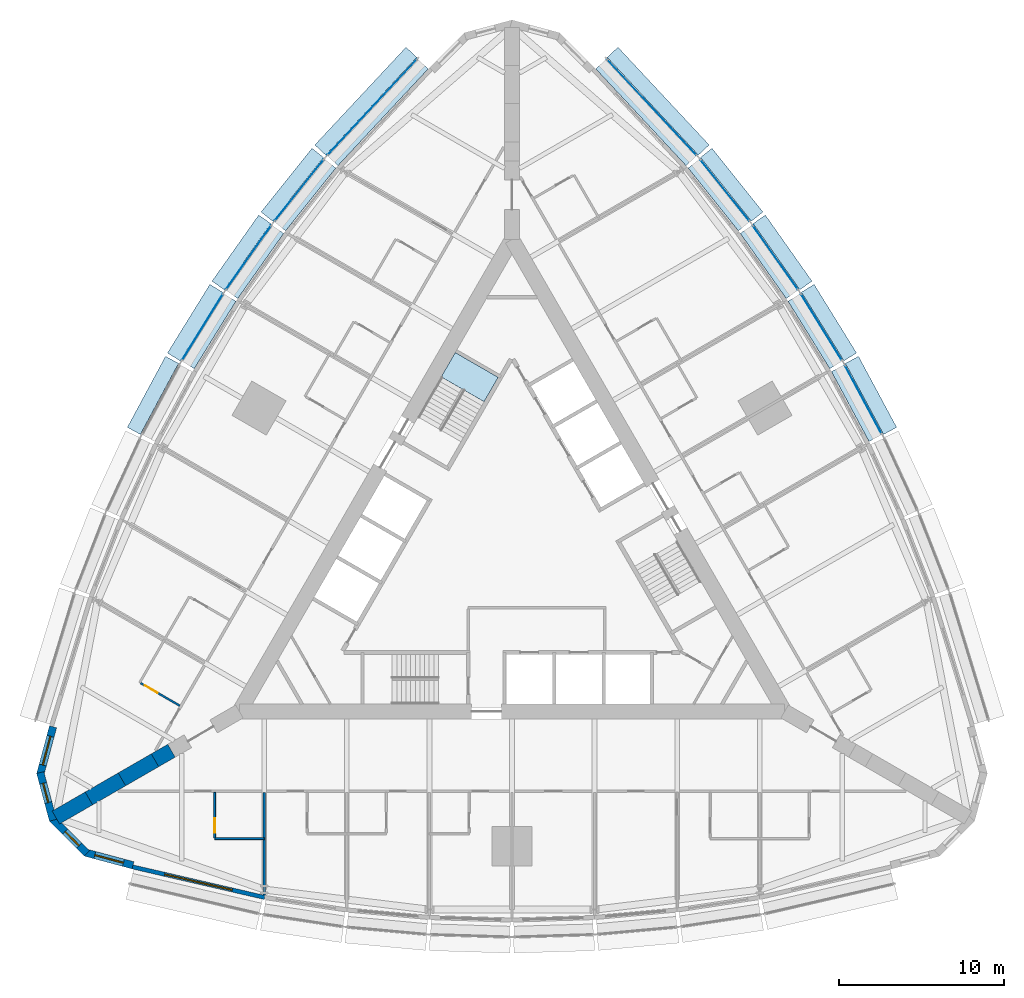
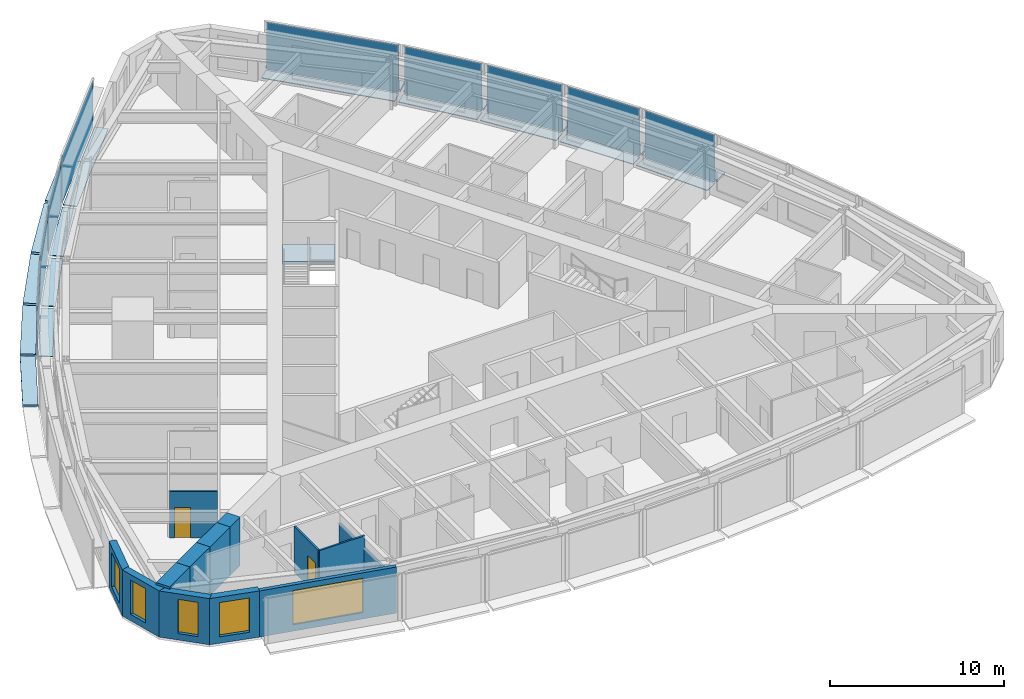
# One storey, part 7 of 14: 28 plates, 13 walls, 5 windows, 2 doors, 1 slab, 7 openings, 10 elements without a shape of their own.
"""IFC4 building model written with IfcOpenShell, lengths in metres."""

from ifc_helpers import new_model, si_unit, direction, frame, frame_2d, origin, origin_2d, place, context, subcontext, project, spatial, polyline, rectangle, outline, extrude, material, layer, layer_set, type_object, element, fill, aggregate, save


model = new_model("IFC4")

# Units and contexts
model_context = context("Model", 3, precision=1e-05, world=origin(), true_north=direction((0.0, 1.0)))
body_context = subcontext(model_context, "Body", "Model", "MODEL_VIEW")
ifc_project = project(units=[si_unit("LENGTHUNIT", "METRE"), si_unit("AREAUNIT", "SQUARE_METRE"), si_unit("VOLUMEUNIT", "CUBIC_METRE"), si_unit("PLANEANGLEUNIT", "RADIAN"), si_unit("MASSUNIT", "GRAM", prefix="KILO")], contexts=[model_context])

# Site, building, storey
site_placement = place(None, origin())
site = spatial("IfcSite", under=ifc_project, at=site_placement, CompositionType="ELEMENT")
building_placement = place(site_placement, origin())
building = spatial("IfcBuilding", under=site, at=building_placement, Name="Trikona Tower", CompositionType="ELEMENT")
storey_placement = place(building_placement, frame((0.0, 0.0, 62.5)))
storey = spatial("IfcBuildingStorey", under=building, at=storey_placement, Name="L15", CompositionType="ELEMENT", Elevation=62.5)

# Plates
ifc_material_1 = material(Name="Aluminium bar grating", Category="aluminium")
ifc_layer_1 = layer(ifc_material_1, 0.050048828125)
ifc_layer_set_1 = layer_set([ifc_layer_1], Name="Cavity catwalk grating")
plate_type_1 = type_object("IfcPlateType", Name="Cavity catwalk grating", PredefinedType="USERDEFINED", material=ifc_layer_set_1)
for number, where, z_axis, x_axis, name in (
    (1, (20.833740234375, 9.127197265625, -0.0498046875), (0.0, 0.0, 1.0), (-0.473422672721, 0.880835383572, 0.0), "Cavity catwalk L15-15"),
    (2, (18.3212890625, 13.47900390625, -0.0498046875), (0.0, 0.0, 1.0), (-0.526118935114, 0.85041099835, 0.0), "Cavity catwalk L15-16"),
):
    element("IfcPlate", number, at=place(storey_placement, frame(where, z_axis=z_axis, x_axis=x_axis)), inside=storey, type_object=plate_type_1, Name=name, ObjectType="CATWALK GRATING", PredefinedType="USERDEFINED", context=body_context, shape_type="SweptSolid", body=[
        extrude(rectangle(XDim=4.80224609375, YDim=0.820068359375, at=origin_2d()), origin(), (0.0, 0.0, 1.0), 0.050048828125),
    ])
plate_1_placement = place(storey_placement, frame((15.544189453125, 17.677734375, -0.0498046875), z_axis=(0.0, 0.0, 1.0), x_axis=(-0.576661909499, 0.816982889743, 0.0)))
element("IfcPlate", 3, at=plate_1_placement, inside=storey, type_object=plate_type_1, Name="Cavity catwalk L15-17", ObjectType="CATWALK GRATING", PredefinedType="USERDEFINED", context=body_context, shape_type="SweptSolid", body=[
    extrude(rectangle(XDim=4.82080078125, YDim=0.820068359375, at=origin_2d()), origin(), (0.0, 0.0, 1.0), 0.050048828125),
])
plate_2_placement = place(storey_placement, frame((12.502197265625, 21.72314453125, -0.0498046875), z_axis=(0.0, 0.0, 1.0), x_axis=(-0.624603618277, 0.780941944087, 0.0)))
element("IfcPlate", 4, at=plate_2_placement, inside=storey, type_object=plate_type_1, Name="Cavity catwalk L15-18", ObjectType="CATWALK GRATING", PredefinedType="USERDEFINED", context=body_context, shape_type="SweptSolid", body=[
    extrude(rectangle(XDim=4.857666015625, YDim=0.820068359375, at=origin_2d()), origin(), (0.0, 0.0, 1.0), 0.050048828125),
])
for number, where, z_axis, x_axis, name in (
    (5, (8.10107421875, 26.72314453125, -0.0498046875), (0.0, 0.0, 1.0), (-0.682298269147, 0.731073916864, 0.0), "Cavity catwalk L15-19"),
    (6, (-8.10107421875, 26.72314453125, -0.0498046875), (0.0, 0.0, 1.0), (-0.682298269147, -0.731073916864, 0.0), "Cavity catwalk L15-24"),
):
    element("IfcPlate", number, at=place(storey_placement, frame(where, z_axis=z_axis, x_axis=x_axis)), inside=storey, type_object=plate_type_1, Name=name, ObjectType="CATWALK GRATING", PredefinedType="USERDEFINED", context=body_context, shape_type="SweptSolid", body=[
        extrude(rectangle(XDim=8.01123046875, YDim=0.820068359375, at=origin_2d()), origin(), (0.0, 0.0, 1.0), 0.050048828125),
    ])
plate_3_placement = place(storey_placement, frame((-12.502197265625, 21.72314453125, -0.0498046875), z_axis=(0.0, 0.0, 1.0), x_axis=(-0.624603618277, -0.780941944087, 0.0)))
element("IfcPlate", 7, at=plate_3_placement, inside=storey, type_object=plate_type_1, Name="Cavity catwalk L15-25", ObjectType="CATWALK GRATING", PredefinedType="USERDEFINED", context=body_context, shape_type="SweptSolid", body=[
    extrude(rectangle(XDim=4.857666015625, YDim=0.820068359375, at=origin_2d()), origin(), (0.0, 0.0, 1.0), 0.050048828125),
])
plate_4_placement = place(storey_placement, frame((-15.544189453125, 17.677734375, -0.0498046875), z_axis=(0.0, 0.0, 1.0), x_axis=(-0.576661909499, -0.816982889743, 0.0)))
element("IfcPlate", 8, at=plate_4_placement, inside=storey, type_object=plate_type_1, Name="Cavity catwalk L15-26", ObjectType="CATWALK GRATING", PredefinedType="USERDEFINED", context=body_context, shape_type="SweptSolid", body=[
    extrude(rectangle(XDim=4.82080078125, YDim=0.820068359375, at=origin_2d()), origin(), (0.0, 0.0, 1.0), 0.050048828125),
])
plate_5_placement = place(storey_placement, frame((-18.3212890625, 13.47900390625, -0.0498046875), z_axis=(0.0, 0.0, 1.0), x_axis=(-0.526118935114, -0.85041099835, 0.0)))
element("IfcPlate", 9, at=plate_5_placement, inside=storey, type_object=plate_type_1, Name="Cavity catwalk L15-27", ObjectType="CATWALK GRATING", PredefinedType="USERDEFINED", context=body_context, shape_type="SweptSolid", body=[
    extrude(rectangle(XDim=4.80224609375, YDim=0.820068359375, at=origin_2d()), origin(), (0.0, 0.0, 1.0), 0.050048828125),
])

# Curtain wall, plate
ifc_material_2 = material(Name="Aluminium curtain wall system", Category="aluminium")
curtain_wall_type = type_object("IfcCurtainWallType", Name="Curtain wall DS1", PredefinedType="NOTDEFINED", material=ifc_material_2)
curtain_wall_1_placement = place(storey_placement, origin())
curtain_wall_1 = element("IfcCurtainWall", 10, at=curtain_wall_1_placement, inside=storey, type_object=curtain_wall_type, Name="Curtain wall DS1 L15", PredefinedType="NOTDEFINED")
ifc_material_3 = material(Name="Laminated clear glass", Category="glass")
ifc_layer_2 = layer(ifc_material_3, 0.028076171875)
ifc_layer_set_2 = layer_set([ifc_layer_2], Name="Glass panel DS1")
plate_type_2 = type_object("IfcPlateType", Name="Glass panel DS1", PredefinedType="CURTAIN_PANEL", material=ifc_layer_set_2)
plate_6_placement = place(storey_placement, frame((21.265380859375, 9.359130859375, 0.0), z_axis=(0.0, 0.0, 1.0), x_axis=(-0.473408350896, 0.880843080975, 0.0)))
plate_6 = element("IfcPlate", 11, at=plate_6_placement, type_object=plate_type_2, Name="CW-DS1 panel 1.1", PredefinedType="CURTAIN_PANEL", context=body_context, shape_type="SweptSolid", body=[
    extrude(rectangle(XDim=4.72216796875, YDim=0.028076171875, at=origin_2d()), origin(), (0.0, 0.0, 1.0), 3.320068359375),
])
aggregate(curtain_wall_1, [plate_6])

curtain_wall_2_placement = place(storey_placement, origin())
curtain_wall_2 = element("IfcCurtainWall", 12, at=curtain_wall_2_placement, inside=storey, type_object=curtain_wall_type, Name="Curtain wall DS1 L15", PredefinedType="NOTDEFINED")
plate_7_placement = place(storey_placement, frame((18.738037109375, 13.73681640625, 0.0), z_axis=(0.0, 0.0, 1.0), x_axis=(-0.526119790842, 0.850410468941, 0.0)))
plate_7 = element("IfcPlate", 13, at=plate_7_placement, type_object=plate_type_2, Name="CW-DS1 panel 1.1", PredefinedType="CURTAIN_PANEL", context=body_context, shape_type="SweptSolid", body=[
    extrude(rectangle(XDim=4.722412109375, YDim=0.028076171875, at=origin_2d()), origin(), (0.0, 0.0, 1.0), 3.320068359375),
])
aggregate(curtain_wall_2, [plate_7])

curtain_wall_3_placement = place(storey_placement, origin())
curtain_wall_3 = element("IfcCurtainWall", 14, at=curtain_wall_3_placement, inside=storey, type_object=curtain_wall_type, Name="Curtain wall DS1 L15", PredefinedType="NOTDEFINED")
plate_8_placement = place(storey_placement, frame((15.9443359375, 17.960205078125, 0.0), z_axis=(0.0, 0.0, 1.0), x_axis=(-0.576658362928, 0.816985393055, 0.0)))
plate_8 = element("IfcPlate", 15, at=plate_8_placement, type_object=plate_type_2, Name="CW-DS1 panel 1.1", PredefinedType="CURTAIN_PANEL", context=body_context, shape_type="SweptSolid", body=[
    extrude(rectangle(XDim=4.74072265625, YDim=0.028076171875, at=origin_2d()), origin(), (0.0, 0.0, 1.0), 3.320068359375),
])
aggregate(curtain_wall_3, [plate_8])

curtain_wall_4_placement = place(storey_placement, origin())
curtain_wall_4 = element("IfcCurtainWall", 16, at=curtain_wall_4_placement, inside=storey, type_object=curtain_wall_type, Name="Curtain wall DS1 L15", PredefinedType="NOTDEFINED")
plate_9_placement = place(storey_placement, frame((12.884765625, 22.029296875, 0.0), z_axis=(0.0, 0.0, 1.0), x_axis=(-0.624608599951, 0.780937959679, 0.0)))
plate_9 = element("IfcPlate", 17, at=plate_9_placement, type_object=plate_type_2, Name="CW-DS1 panel 1.1", PredefinedType="CURTAIN_PANEL", context=body_context, shape_type="SweptSolid", body=[
    extrude(rectangle(XDim=4.777587890625, YDim=0.028076171875, at=origin_2d()), origin(), (0.0, 0.0, 1.0), 3.320068359375),
])
aggregate(curtain_wall_4, [plate_9])

curtain_wall_5_placement = place(storey_placement, origin())
curtain_wall_5 = element("IfcCurtainWall", 18, at=curtain_wall_5_placement, inside=storey, type_object=curtain_wall_type, Name="Curtain wall DS1 L15", PredefinedType="NOTDEFINED")
plate_10_placement = place(storey_placement, frame((8.459228515625, 27.057373046875, 0.0), z_axis=(0.0, 0.0, 1.0), x_axis=(-0.682295351967, 0.731076639405, 0.0)))
plate_10 = element("IfcPlate", 19, at=plate_10_placement, type_object=plate_type_2, Name="CW-DS1 panel 1.1", PredefinedType="CURTAIN_PANEL", context=body_context, shape_type="SweptSolid", body=[
    extrude(rectangle(XDim=7.93115234375, YDim=0.028076171875, at=origin_2d()), origin(), (0.0, 0.0, 1.0), 3.320068359375),
])
aggregate(curtain_wall_5, [plate_10])

curtain_wall_6_placement = place(storey_placement, origin())
curtain_wall_6 = element("IfcCurtainWall", 20, at=curtain_wall_6_placement, inside=storey, type_object=curtain_wall_type, Name="Curtain wall DS1 L15", PredefinedType="NOTDEFINED")
plate_11_placement = place(storey_placement, frame((-8.459228515625, 27.057373046875, 0.0), z_axis=(0.0, 0.0, 1.0), x_axis=(-0.682295351967, -0.731076639405, 0.0)))
plate_11 = element("IfcPlate", 21, at=plate_11_placement, type_object=plate_type_2, Name="CW-DS1 panel 1.1", PredefinedType="CURTAIN_PANEL", context=body_context, shape_type="SweptSolid", body=[
    extrude(rectangle(XDim=7.93115234375, YDim=0.028076171875, at=origin_2d()), origin(), (0.0, 0.0, 1.0), 3.320068359375),
])
aggregate(curtain_wall_6, [plate_11])

curtain_wall_7_placement = place(storey_placement, origin())
curtain_wall_7 = element("IfcCurtainWall", 22, at=curtain_wall_7_placement, inside=storey, type_object=curtain_wall_type, Name="Curtain wall DS1 L15", PredefinedType="NOTDEFINED")
plate_12_placement = place(storey_placement, frame((-12.884765625, 22.029296875, 0.0), z_axis=(0.0, 0.0, 1.0), x_axis=(-0.624608599951, -0.780937959679, 0.0)))
plate_12 = element("IfcPlate", 23, at=plate_12_placement, type_object=plate_type_2, Name="CW-DS1 panel 1.1", PredefinedType="CURTAIN_PANEL", context=body_context, shape_type="SweptSolid", body=[
    extrude(rectangle(XDim=4.777587890625, YDim=0.028076171875, at=origin_2d()), origin(), (0.0, 0.0, 1.0), 3.320068359375),
])
aggregate(curtain_wall_7, [plate_12])

curtain_wall_8_placement = place(storey_placement, origin())
curtain_wall_8 = element("IfcCurtainWall", 24, at=curtain_wall_8_placement, inside=storey, type_object=curtain_wall_type, Name="Curtain wall DS1 L15", PredefinedType="NOTDEFINED")
plate_13_placement = place(storey_placement, frame((-15.9443359375, 17.960205078125, 0.0), z_axis=(0.0, 0.0, 1.0), x_axis=(-0.576658362928, -0.816985393055, 0.0)))
plate_13 = element("IfcPlate", 25, at=plate_13_placement, type_object=plate_type_2, Name="CW-DS1 panel 1.1", PredefinedType="CURTAIN_PANEL", context=body_context, shape_type="SweptSolid", body=[
    extrude(rectangle(XDim=4.74072265625, YDim=0.028076171875, at=origin_2d()), origin(), (0.0, 0.0, 1.0), 3.320068359375),
])
aggregate(curtain_wall_8, [plate_13])

curtain_wall_9_placement = place(storey_placement, origin())
curtain_wall_9 = element("IfcCurtainWall", 26, at=curtain_wall_9_placement, inside=storey, type_object=curtain_wall_type, Name="Curtain wall DS1 L15", PredefinedType="NOTDEFINED")
plate_14_placement = place(storey_placement, frame((-18.738037109375, 13.73681640625, 0.0), z_axis=(0.0, 0.0, 1.0), x_axis=(-0.526119790842, -0.850410468941, 0.0)))
plate_14 = element("IfcPlate", 27, at=plate_14_placement, type_object=plate_type_2, Name="CW-DS1 panel 1.1", PredefinedType="CURTAIN_PANEL", context=body_context, shape_type="SweptSolid", body=[
    extrude(rectangle(XDim=4.722412109375, YDim=0.028076171875, at=origin_2d()), origin(), (0.0, 0.0, 1.0), 3.320068359375),
])
aggregate(curtain_wall_9, [plate_14])

# Plates
ifc_material_4 = material(Name="Aluminium plate fin, pale anodised, on stainless steel outriggers", Category="steel")
ifc_layer_3 = layer(ifc_material_4, 0.14990234375)
ifc_layer_set_3 = layer_set([ifc_layer_3], Name="Outer skin fin 900")
plate_type_3 = type_object("IfcPlateType", Name="Outer skin fin 900", PredefinedType="USERDEFINED", material=ifc_layer_set_3)
for number, where, z_axis, x_axis, name in (
    (28, (21.732421875, 9.610107421875, 0.0), (0.0, 0.0, 1.0), (-0.473422672721, 0.880835383572, 0.0), "Outer skin fin L15-15"),
    (29, (19.188720703125, 14.015625, 0.0), (0.0, 0.0, 1.0), (-0.526118935114, 0.85041099835, 0.0), "Outer skin fin L15-16"),
):
    element("IfcPlate", number, at=place(storey_placement, frame(where, z_axis=z_axis, x_axis=x_axis)), inside=storey, type_object=plate_type_3, Name=name, ObjectType="FIN", PredefinedType="USERDEFINED", context=body_context, shape_type="SweptSolid", body=[
        extrude(rectangle(XDim=4.88232421875, YDim=0.89990234375, at=origin_2d()), origin(), (0.0, 0.0, 1.0), 0.14990234375),
    ])
plate_15_placement = place(storey_placement, frame((16.37744140625, 18.265869140625, 0.0), z_axis=(0.0, 0.0, 1.0), x_axis=(-0.576661909499, 0.816982889743, 0.0)))
element("IfcPlate", 30, at=plate_15_placement, inside=storey, type_object=plate_type_3, Name="Outer skin fin L15-17", ObjectType="FIN", PredefinedType="USERDEFINED", context=body_context, shape_type="SweptSolid", body=[
    extrude(rectangle(XDim=4.90087890625, YDim=0.89990234375, at=origin_2d()), origin(), (0.0, 0.0, 1.0), 0.14990234375),
])
plate_16_placement = place(storey_placement, frame((13.298583984375, 22.360107421875, 0.0), z_axis=(0.0, 0.0, 1.0), x_axis=(-0.624603618277, 0.780941944087, 0.0)))
element("IfcPlate", 31, at=plate_16_placement, inside=storey, type_object=plate_type_3, Name="Outer skin fin L15-18", ObjectType="FIN", PredefinedType="USERDEFINED", context=body_context, shape_type="SweptSolid", body=[
    extrude(rectangle(XDim=4.9375, YDim=0.89990234375, at=origin_2d()), origin(), (0.0, 0.0, 1.0), 0.14990234375),
])
for number, where, z_axis, x_axis, name in (
    (32, (8.8466796875, 27.419189453125, 0.0), (0.0, 0.0, 1.0), (-0.682298269147, 0.731073916864, 0.0), "Outer skin fin L15-19"),
    (33, (-8.8466796875, 27.419189453125, 0.0), (0.0, 0.0, 1.0), (-0.682298269147, -0.731073916864, 0.0), "Outer skin fin L15-24"),
):
    element("IfcPlate", number, at=place(storey_placement, frame(where, z_axis=z_axis, x_axis=x_axis)), inside=storey, type_object=plate_type_3, Name=name, ObjectType="FIN", PredefinedType="USERDEFINED", context=body_context, shape_type="SweptSolid", body=[
        extrude(rectangle(XDim=8.09130859375, YDim=0.89990234375, at=origin_2d()), origin(), (0.0, 0.0, 1.0), 0.14990234375),
    ])
plate_17_placement = place(storey_placement, frame((-13.298583984375, 22.360107421875, 0.0), z_axis=(0.0, 0.0, 1.0), x_axis=(-0.624603618277, -0.780941944087, 0.0)))
element("IfcPlate", 34, at=plate_17_placement, inside=storey, type_object=plate_type_3, Name="Outer skin fin L15-25", ObjectType="FIN", PredefinedType="USERDEFINED", context=body_context, shape_type="SweptSolid", body=[
    extrude(rectangle(XDim=4.9375, YDim=0.89990234375, at=origin_2d()), origin(), (0.0, 0.0, 1.0), 0.14990234375),
])
plate_18_placement = place(storey_placement, frame((-16.37744140625, 18.265869140625, 0.0), z_axis=(0.0, 0.0, 1.0), x_axis=(-0.576661909499, -0.816982889743, 0.0)))
element("IfcPlate", 35, at=plate_18_placement, inside=storey, type_object=plate_type_3, Name="Outer skin fin L15-26", ObjectType="FIN", PredefinedType="USERDEFINED", context=body_context, shape_type="SweptSolid", body=[
    extrude(rectangle(XDim=4.90087890625, YDim=0.89990234375, at=origin_2d()), origin(), (0.0, 0.0, 1.0), 0.14990234375),
])
for number, where, z_axis, x_axis, name in (
    (36, (-19.188720703125, 14.015625, 0.0), (0.0, 0.0, 1.0), (-0.526118935114, -0.85041099835, 0.0), "Outer skin fin L15-27"),
    (37, (-21.732421875, 9.610107421875, 0.0), (0.0, 0.0, 1.0), (-0.473422672721, -0.880835383572, 0.0), "Outer skin fin L15-28"),
):
    element("IfcPlate", number, at=place(storey_placement, frame(where, z_axis=z_axis, x_axis=x_axis)), inside=storey, type_object=plate_type_3, Name=name, ObjectType="FIN", PredefinedType="USERDEFINED", context=body_context, shape_type="SweptSolid", body=[
        extrude(rectangle(XDim=4.88232421875, YDim=0.89990234375, at=origin_2d()), origin(), (0.0, 0.0, 1.0), 0.14990234375),
    ])

# Stair, slab
ifc_material_5 = material(Name="Concrete f'c 5000 psi", Category="concrete")
stair_type = type_object("IfcStairType", Name="Core stair", PredefinedType="HALF_TURN_STAIR", material=ifc_material_5)
stair_placement = place(storey_placement, origin())
stair = element("IfcStair", 38, at=stair_placement, inside=storey, type_object=stair_type, Name="Stair C L15", PredefinedType="HALF_TURN_STAIR")
ifc_material_6 = material(Name="Concrete f'c 5000 psi", Category="concrete")
ifc_layer_4 = layer(ifc_material_6, 0.199951171875)
ifc_layer_set_4 = layer_set([ifc_layer_4], Name="Stair landing 200")
slab_type = type_object("IfcSlabType", Name="Stair landing 200", PredefinedType="LANDING", material=ifc_layer_set_4)
slab_placement = place(storey_placement, frame((0.0, 0.0, 1.5)))
slab = element("IfcSlab", 39, at=slab_placement, type_object=slab_type, Name="ST-C landing 2", PredefinedType="LANDING", context=body_context, shape_type="SweptSolid", body=[
    extrude(outline(polyline([(-0.837158203125, 10.702392578125), (-1.688720703125, 9.2275390625), (-4.286865234375, 10.7275390625), (-3.435302734375, 12.202392578125), (-0.837158203125, 10.702392578125)])), origin(), (0.0, 0.0, 1.0), 0.199951171875),
])
aggregate(stair, [slab])

# Wall
ifc_material_7 = material(Name="Metal stud and cement board", Category="gypsum")
ifc_layer_5 = layer(ifc_material_7, 0.1201171875)
ifc_layer_set_5 = layer_set([ifc_layer_5], Name="Bathroom wall 120")
wall_type_1 = type_object("IfcWallType", Name="Bathroom wall 120", PredefinedType="PLUMBINGWALL", material=ifc_layer_set_5)
wall_1_placement = place(storey_placement, frame((-18.0, -17.226318359375, 0.0), z_axis=(0.0, 0.0, 1.0), x_axis=(1.0, 0.0, 0.0)))
element("IfcWall", 40, at=wall_1_placement, inside=storey, type_object=wall_type_1, Name="Bathroom wall 1501", PredefinedType="PLUMBINGWALL", context=body_context, shape_type="SweptSolid", body=[
    extrude(rectangle(XDim=3.0, YDim=0.1201171875, at=frame_2d((1.5, 0.0))), origin(), (0.0, 0.0, 1.0), 3.235107421875),
])

# Wall, opening, door
wall_2_placement = place(storey_placement, frame((-18.0, -14.42626953125, 0.0), z_axis=(0.0, 0.0, 1.0), x_axis=(0.0, -1.0, 0.0)))
wall_2 = element("IfcWall", 41, at=wall_2_placement, inside=storey, type_object=wall_type_1, Name="Bathroom wall 1501", PredefinedType="PLUMBINGWALL", context=body_context, shape_type="SweptSolid", body=[
    extrude(rectangle(XDim=2.739990234375, YDim=0.1201171875, at=frame_2d((1.3701171875, 0.0))), origin(), (0.0, 0.0, 1.0), 3.235107421875),
])
opening_1_placement = place(wall_2_placement, frame((1.550048828125, 0.0, 0.0)))
opening_1 = element("IfcOpeningElement", 42, at=opening_1_placement, cuts=wall_2, Name="Opening D2", PredefinedType="OPENING", context=body_context, shape_type="SweptSolid", body=[
    extrude(rectangle(XDim=0.89990234375, YDim=2.1298828125, at=frame_2d((0.449951171875, 1.06494140625))), frame((0.0, 0.070068359375, 0.0), z_axis=(0.0, -1.0, 0.0), x_axis=(1.0, 0.0, 0.0)), (0.0, 0.0, 1.0), 0.14013671875),
])
ifc_material_8 = material(Name="Steel door frame with solid-core timber leaf", Category="steel")
door_type = type_object("IfcDoorType", Name="Bathroom door 900x2130", OperationType="SLIDING_TO_LEFT", PredefinedType="DOOR", material=ifc_material_8)
door_1_placement = place(opening_1_placement, origin())
door_1 = element("IfcDoor", 43, at=door_1_placement, inside=storey, type_object=door_type, Name="Bathroom door 1501", OperationType="SLIDING_TO_LEFT", OverallHeight=2.1298828125, OverallWidth=0.89990234375, PredefinedType="DOOR", context=body_context, shape_type="SweptSolid", body=[
    extrude(rectangle(XDim=0.89990234375, YDim=2.1298828125, at=frame_2d((0.449951171875, 1.06494140625))), frame((0.0, 0.02490234375, 0.0), z_axis=(0.0, -1.0, 0.0), x_axis=(1.0, 0.0, 0.0)), (0.0, 0.0, 1.0), 0.050048828125),
])
fill(opening_1, door_1)

wall_3_placement = place(storey_placement, frame((-20.10791015625, -9.17529296875, 0.0), z_axis=(0.0, 0.0, 1.0), x_axis=(-0.866035715982, 0.499982138324, 0.0)))
wall_3 = element("IfcWall", 44, at=wall_3_placement, inside=storey, type_object=wall_type_1, Name="Bathroom wall 1517", PredefinedType="PLUMBINGWALL", context=body_context, shape_type="SweptSolid", body=[
    extrude(rectangle(XDim=2.73974609375, YDim=0.1201171875, at=frame_2d((1.369873046875, 0.0))), origin(), (0.0, 0.0, 1.0), 3.235107421875),
])
opening_2_placement = place(wall_3_placement, frame((1.550048828125, 0.0, 0.0)))
opening_2 = element("IfcOpeningElement", 45, at=opening_2_placement, cuts=wall_3, Name="Opening D2", PredefinedType="OPENING", context=body_context, shape_type="SweptSolid", body=[
    extrude(rectangle(XDim=0.89990234375, YDim=2.1298828125, at=frame_2d((0.449951171875, 1.06494140625))), frame((0.0, 0.070068359375, 0.0), z_axis=(0.0, -1.0, 0.0), x_axis=(1.0, 0.0, 0.0)), (0.0, 0.0, 1.0), 0.14013671875),
])
door_2_placement = place(opening_2_placement, origin())
door_2 = element("IfcDoor", 46, at=door_2_placement, inside=storey, type_object=door_type, Name="Bathroom door 1517", OperationType="SLIDING_TO_LEFT", OverallHeight=2.1298828125, OverallWidth=0.89990234375, PredefinedType="DOOR", context=body_context, shape_type="SweptSolid", body=[
    extrude(rectangle(XDim=0.89990234375, YDim=2.1298828125, at=frame_2d((0.449951171875, 1.06494140625))), frame((0.0, 0.02490234375, 0.0), z_axis=(0.0, -1.0, 0.0), x_axis=(1.0, 0.0, 0.0)), (0.0, 0.0, 1.0), 0.050048828125),
])
fill(opening_2, door_2)

# Wall, opening, window
ifc_material_9 = material(Name="Brick-faced precast concrete", Category="masonry")
ifc_layer_6 = layer(ifc_material_9, 0.449951171875)
ifc_layer_set_6 = layer_set([ifc_layer_6], Name="Brick-faced corner wall 450")
wall_type_2 = type_object("IfcWallType", Name="Brick-faced corner wall 450", PredefinedType="SOLIDWALL", material=ifc_layer_set_6)
wall_4_placement = place(storey_placement, frame((-27.78271484375, -10.450439453125, 0.0), z_axis=(0.0, 0.0, 1.0), x_axis=(-0.258780998834, -0.965936019953, 0.0)))
wall_4 = element("IfcWall", 47, at=wall_4_placement, inside=storey, type_object=wall_type_2, Name="External wall L15-32", PredefinedType="SOLIDWALL", context=body_context, shape_type="SweptSolid", body=[
    extrude(rectangle(XDim=2.98876953125, YDim=0.449951171875, at=frame_2d((1.494384765625, 0.0))), origin(), (0.0, 0.0, 1.0), 3.235107421875),
])
opening_3_placement = place(wall_4_placement, frame((0.59423828125, 0.0, 0.449951171875)))
opening_3 = element("IfcOpeningElement", 48, at=opening_3_placement, cuts=wall_4, Name="Opening W1824", PredefinedType="OPENING", context=body_context, shape_type="SweptSolid", body=[
    extrude(rectangle(XDim=1.800048828125, YDim=2.39990234375, at=frame_2d((0.89990234375, 1.199951171875))), frame((0.0, 0.23486328125, 0.0), z_axis=(0.0, -1.0, 0.0), x_axis=(1.0, 0.0, 0.0)), (0.0, 0.0, 1.0), 0.469970703125),
])
ifc_material_10 = material(Name="Aluminium-framed double glazing", Category="aluminium")
window_type_1 = type_object("IfcWindowType", Name="Window 1800x2400", PartitioningType="SINGLE_PANEL", PredefinedType="WINDOW", material=ifc_material_10)
window_1_placement = place(opening_3_placement, origin())
window_1 = element("IfcWindow", 49, at=window_1_placement, inside=storey, type_object=window_type_1, Name="Window 1517", OverallHeight=2.39990234375, OverallWidth=1.800048828125, PartitioningType="SINGLE_PANEL", PredefinedType="WINDOW", context=body_context, shape_type="SweptSolid", body=[
    extrude(rectangle(XDim=1.800048828125, YDim=2.39990234375, at=frame_2d((0.89990234375, 1.199951171875))), frame((0.0, 0.030029296875, 0.0), z_axis=(0.0, -1.0, 0.0), x_axis=(1.0, 0.0, 0.0)), (0.0, 0.0, 1.0), 0.06005859375),
])
fill(opening_3, window_1)

wall_5_placement = place(storey_placement, frame((-28.55615234375, -13.220947265625, 0.0), z_axis=(0.0, 0.0, 1.0), x_axis=(0.258801419081, -0.965930548995, 0.0)))
wall_5 = element("IfcWall", 50, at=wall_5_placement, inside=storey, type_object=wall_type_2, Name="External wall L15-33", PredefinedType="SOLIDWALL", context=body_context, shape_type="SweptSolid", body=[
    extrude(outline(polyline([(2.988525390625, 0.22509765625), (2.928955078125, 0.22509765625), (2.437255859375, 0.09326171875), (2.402099609375, 0.22509765625), (0.0, 0.22509765625), (0.0, -0.22509765625), (2.988525390625, -0.22509765625), (2.988525390625, 0.22509765625)])), origin(), (0.0, 0.0, 1.0), 3.235107421875),
])
opening_4_placement = place(wall_5_placement, frame((0.676025390625, 0.0, 0.449951171875)))
opening_4 = element("IfcOpeningElement", 51, at=opening_4_placement, cuts=wall_5, Name="Opening W1224", PredefinedType="OPENING", context=body_context, shape_type="SweptSolid", body=[
    extrude(rectangle(XDim=1.199951171875, YDim=2.39990234375, at=frame_2d((0.60009765625, 1.199951171875))), frame((0.0, 0.23486328125, 0.0), z_axis=(0.0, -1.0, 0.0), x_axis=(1.0, 0.0, 0.0)), (0.0, 0.0, 1.0), 0.469970703125),
])
ifc_material_11 = material(Name="Aluminium-framed double glazing", Category="aluminium")
window_type_2 = type_object("IfcWindowType", Name="Window 1200x2400", PartitioningType="SINGLE_PANEL", PredefinedType="WINDOW", material=ifc_material_11)
window_2_placement = place(opening_4_placement, origin())
window_2 = element("IfcWindow", 52, at=window_2_placement, inside=storey, type_object=window_type_2, Name="Window 1517", OverallHeight=2.39990234375, OverallWidth=1.199951171875, PartitioningType="SINGLE_PANEL", PredefinedType="WINDOW", context=body_context, shape_type="SweptSolid", body=[
    extrude(rectangle(XDim=1.199951171875, YDim=2.39990234375, at=frame_2d((0.60009765625, 1.199951171875))), frame((0.0, 0.030029296875, 0.0), z_axis=(0.0, -1.0, 0.0), x_axis=(1.0, 0.0, 0.0)), (0.0, 0.0, 1.0), 0.06005859375),
])
fill(opening_4, window_2)

wall_6_placement = place(storey_placement, frame((-27.8408203125, -16.006591796875, 0.0), z_axis=(0.0, 0.0, 1.0), x_axis=(0.707025086683, -0.707188466253, 0.0)))
wall_6 = element("IfcWall", 53, at=wall_6_placement, inside=storey, type_object=wall_type_2, Name="External wall L15-34", PredefinedType="SOLIDWALL", context=body_context, shape_type="SweptSolid", body=[
    extrude(outline(polyline([(2.988525390625, 0.22509765625), (0.58642578125, 0.22509765625), (0.551025390625, 0.093017578125), (0.058837890625, 0.22509765625), (0.0, 0.22509765625), (0.0, -0.22509765625), (2.988525390625, -0.22509765625), (2.988525390625, 0.22509765625)])), origin(), (0.0, 0.0, 1.0), 3.235107421875),
])
opening_5_placement = place(wall_6_placement, frame((1.112548828125, 0.0, 0.449951171875)))
opening_5 = element("IfcOpeningElement", 54, at=opening_5_placement, cuts=wall_6, Name="Opening W1224", PredefinedType="OPENING", context=body_context, shape_type="SweptSolid", body=[
    extrude(rectangle(XDim=1.199951171875, YDim=2.39990234375, at=frame_2d((0.60009765625, 1.199951171875))), frame((0.0, 0.23486328125, 0.0), z_axis=(0.0, -1.0, 0.0), x_axis=(1.0, 0.0, 0.0)), (0.0, 0.0, 1.0), 0.469970703125),
])
window_3_placement = place(opening_5_placement, origin())
window_3 = element("IfcWindow", 55, at=window_3_placement, inside=storey, type_object=window_type_2, Name="Window 1501", OverallHeight=2.39990234375, OverallWidth=1.199951171875, PartitioningType="SINGLE_PANEL", PredefinedType="WINDOW", context=body_context, shape_type="SweptSolid", body=[
    extrude(rectangle(XDim=1.199951171875, YDim=2.39990234375, at=frame_2d((0.60009765625, 1.199951171875))), frame((0.0, 0.030029296875, 0.0), z_axis=(0.0, -1.0, 0.0), x_axis=(1.0, 0.0, 0.0)), (0.0, 0.0, 1.0), 0.06005859375),
])
fill(opening_5, window_3)

wall_7_placement = place(storey_placement, frame((-25.82861328125, -18.061767578125, 0.0), z_axis=(0.0, 0.0, 1.0), x_axis=(0.965930548995, -0.258801419081, 0.0)))
wall_7 = element("IfcWall", 56, at=wall_7_placement, inside=storey, type_object=wall_type_2, Name="External wall L15-35", PredefinedType="SOLIDWALL", context=body_context, shape_type="SweptSolid", body=[
    extrude(rectangle(XDim=2.988525390625, YDim=0.449951171875, at=frame_2d((1.494140625, 0.0))), origin(), (0.0, 0.0, 1.0), 3.235107421875),
])
opening_6_placement = place(wall_7_placement, frame((0.59423828125, 0.0, 0.449951171875)))
opening_6 = element("IfcOpeningElement", 57, at=opening_6_placement, cuts=wall_7, Name="Opening W1824", PredefinedType="OPENING", context=body_context, shape_type="SweptSolid", body=[
    extrude(rectangle(XDim=1.800048828125, YDim=2.39990234375, at=frame_2d((0.89990234375, 1.199951171875))), frame((0.0, 0.23486328125, 0.0), z_axis=(0.0, -1.0, 0.0), x_axis=(1.0, 0.0, 0.0)), (0.0, 0.0, 1.0), 0.469970703125),
])
window_4_placement = place(opening_6_placement, origin())
window_4 = element("IfcWindow", 58, at=window_4_placement, inside=storey, type_object=window_type_1, Name="Window 1501", OverallHeight=2.39990234375, OverallWidth=1.800048828125, PartitioningType="SINGLE_PANEL", PredefinedType="WINDOW", context=body_context, shape_type="SweptSolid", body=[
    extrude(rectangle(XDim=1.800048828125, YDim=2.39990234375, at=frame_2d((0.89990234375, 1.199951171875))), frame((0.0, 0.030029296875, 0.0), z_axis=(0.0, -1.0, 0.0), x_axis=(1.0, 0.0, 0.0)), (0.0, 0.0, 1.0), 0.06005859375),
])
fill(opening_6, window_4)

# Walls
ifc_material_12 = material(Name="Concrete f'c 10000 psi", Category="concrete")
ifc_layer_7 = layer(ifc_material_12, 0.89990234375)
ifc_layer_set_7 = layer_set([ifc_layer_7], Name="Buttress wall 900")
wall_type_3 = type_object("IfcWallType", Name="Buttress wall 900", PredefinedType="SHEAR", material=ifc_layer_set_7)
wall_8_placement = place(storey_placement, frame((-20.6103515625, -11.8994140625, 0.0), z_axis=(0.0, 0.0, 1.0), x_axis=(-0.866009537788, -0.500027479704, 0.0)))
element("IfcWall", 59, at=wall_8_placement, inside=storey, type_object=wall_type_3, Name="Buttress wall 3 part 2", PredefinedType="SHEAR", context=body_context, shape_type="SweptSolid", body=[
    extrude(rectangle(XDim=1.15478515625, YDim=0.89990234375, at=frame_2d((0.577392578125, 0.0))), origin(), (0.0, 0.0, 1.0), 3.39990234375),
])
for number, where, z_axis, x_axis, name in (
    (60, (-21.6103515625, -12.476806640625, 0.0), (0.0, 0.0, 1.0), (-0.866055313784, -0.499948190782, 0.0), "Buttress wall 3 part 3"),
    (61, (-23.6103515625, -13.63134765625, 0.0), (0.0, 0.0, 1.0), (-0.866009537788, -0.500027479704, 0.0), "Buttress wall 3 part 4"),
    (62, (-25.6103515625, -14.7861328125, 0.0), (0.0, 0.0, 1.0), (-0.866009537788, -0.500027479704, 0.0), "Buttress wall 3 part 5"),
):
    element("IfcWall", number, at=place(storey_placement, frame(where, z_axis=z_axis, x_axis=x_axis)), inside=storey, type_object=wall_type_3, Name=name, PredefinedType="SHEAR", context=body_context, shape_type="SweptSolid", body=[
        extrude(rectangle(XDim=2.309326171875, YDim=0.89990234375, at=frame_2d((1.15478515625, 0.0))), origin(), (0.0, 0.0, 1.0), 3.39990234375),
    ])

# Wall, opening, window
ifc_material_13 = material(Name="Insulated precast concrete spandrel panel", Category="concrete")
ifc_layer_8 = layer(ifc_material_13, 0.25)
ifc_layer_set_8 = layer_set([ifc_layer_8], Name="Inner skin wall 250")
wall_type_4 = type_object("IfcWallType", Name="Inner skin wall 250", PredefinedType="STANDARD", material=ifc_layer_set_8)
wall_9_placement = place(storey_placement, frame((-22.9716796875, -18.930908203125, 0.0), z_axis=(0.0, 0.0, 1.0), x_axis=(0.974279327392, -0.225343720163, 0.0)))
wall_9 = element("IfcWall", 63, at=wall_9_placement, inside=storey, type_object=wall_type_4, Name="External wall L15-00", PredefinedType="STANDARD", context=body_context, shape_type="SweptSolid", body=[
    extrude(rectangle(XDim=8.211181640625, YDim=0.25, at=frame_2d((4.10546875, 0.0))), origin(), (0.0, 0.0, 1.0), 3.235107421875),
])
opening_7_placement = place(wall_9_placement, frame((2.005615234375, 0.0, 0.449951171875)))
opening_7 = element("IfcOpeningElement", 64, at=opening_7_placement, cuts=wall_9, Name="Opening W4224", PredefinedType="OPENING", context=body_context, shape_type="SweptSolid", body=[
    extrude(rectangle(XDim=4.199951171875, YDim=2.39990234375, at=frame_2d((2.10009765625, 1.199951171875))), frame((0.0, 0.135009765625, 0.0), z_axis=(0.0, -1.0, 0.0), x_axis=(1.0, 0.0, 0.0)), (0.0, 0.0, 1.0), 0.27001953125),
])
ifc_material_14 = material(Name="Aluminium-framed double glazing", Category="aluminium")
window_type_3 = type_object("IfcWindowType", Name="Window 4200x2400", PartitioningType="SINGLE_PANEL", PredefinedType="WINDOW", material=ifc_material_14)
window_5_placement = place(opening_7_placement, origin())
window_5 = element("IfcWindow", 65, at=window_5_placement, inside=storey, type_object=window_type_3, Name="Window 1501", OverallHeight=2.39990234375, OverallWidth=4.199951171875, PartitioningType="SINGLE_PANEL", PredefinedType="WINDOW", context=body_context, shape_type="SweptSolid", body=[
    extrude(rectangle(XDim=4.199951171875, YDim=2.39990234375, at=frame_2d((2.10009765625, 1.199951171875))), frame((0.0, 0.030029296875, 0.0), z_axis=(0.0, -1.0, 0.0), x_axis=(1.0, 0.0, 0.0)), (0.0, 0.0, 1.0), 0.06005859375),
])
fill(opening_7, window_5)

# Wall
ifc_material_15 = material(Name="Metal stud and gypsum board, 1-hour acoustic", Category="gypsum")
ifc_layer_9 = layer(ifc_material_15, 0.14990234375)
ifc_layer_set_9 = layer_set([ifc_layer_9], Name="Party wall 150")
wall_type_5 = type_object("IfcWallType", Name="Party wall 150", PredefinedType="PARTITIONING", material=ifc_layer_set_9)
wall_10_placement = place(storey_placement, frame((-15.0, -14.42626953125, 0.0), z_axis=(0.0, 0.0, 1.0), x_axis=(0.0, -1.0, 0.0)))
element("IfcWall", 66, at=wall_10_placement, inside=storey, type_object=wall_type_5, Name="Partition L15 F1 u-15", PredefinedType="PARTITIONING", context=body_context, shape_type="SweptSolid", body=[
    extrude(rectangle(XDim=6.22021484375, YDim=0.14990234375, at=frame_2d((3.110107421875, 0.0))), origin(), (0.0, 0.0, 1.0), 2.38916015625),
])

save(model, "model.ifc")
